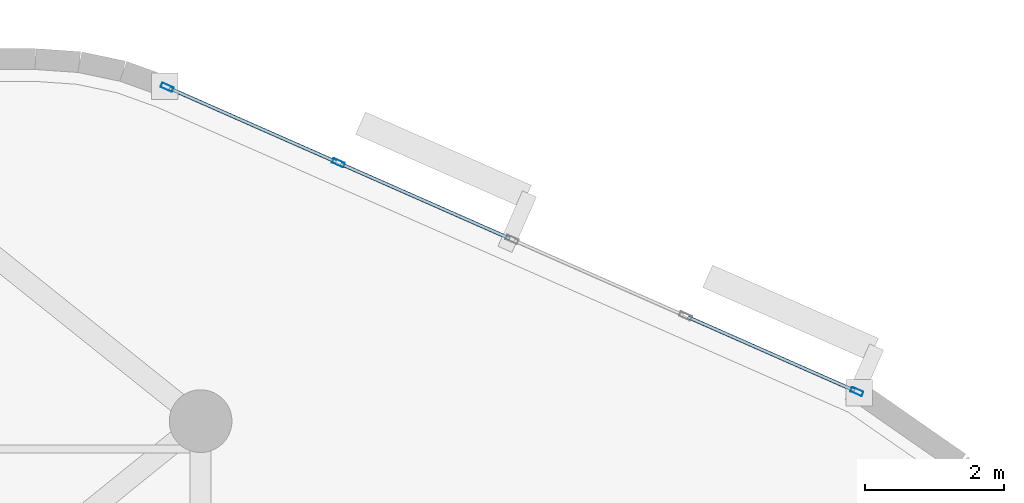
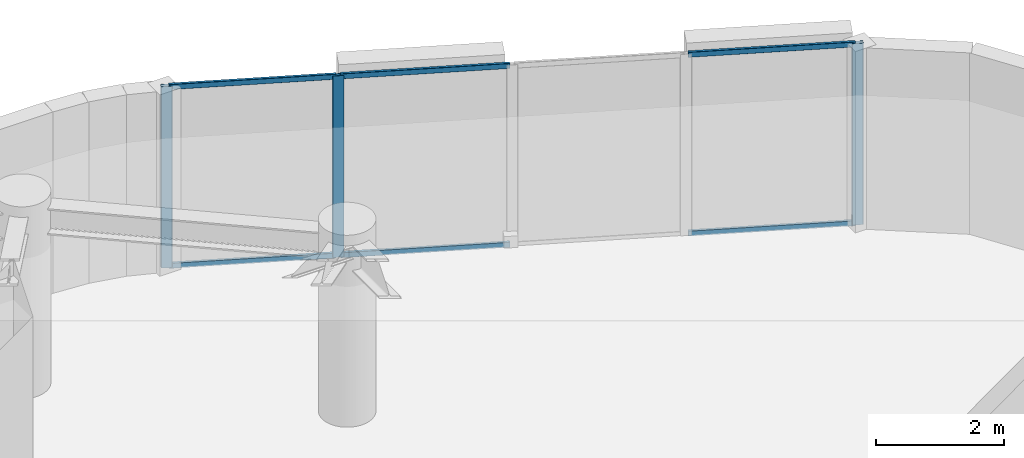
# One storey, part 6 of 13: 9 members, 1 element without a shape of its own.
"""IFC4 building model written with IfcOpenShell, lengths in metres."""

from ifc_helpers import new_model, si_unit, direction, frame, origin, origin_2d, place, context, subcontext, project, spatial, hollow_rectangle, extrude, material, layer, layer_set, material_profile, profile_set, type_object, element, aggregate, save


model = new_model("IFC4")

# Units and contexts
model_context = context("Model", 3, precision=1e-05, world=origin(), true_north=direction((0.0, 1.0)))
body_context = subcontext(model_context, "Body", "Model", "MODEL_VIEW")
ifc_project = project(units=[si_unit("LENGTHUNIT", "METRE"), si_unit("AREAUNIT", "SQUARE_METRE"), si_unit("VOLUMEUNIT", "CUBIC_METRE"), si_unit("PLANEANGLEUNIT", "RADIAN"), si_unit("MASSUNIT", "GRAM", prefix="KILO")], contexts=[model_context])

# Site, building, storey
site_placement = place(None, origin())
site = spatial("IfcSite", under=ifc_project, at=site_placement, CompositionType="ELEMENT")
building_placement = place(site_placement, origin())
building = spatial("IfcBuilding", under=site, at=building_placement, Name="An Khanh Terracotta Commons", CompositionType="ELEMENT")
storey_placement = place(building_placement, frame((0.0, 0.0, 277.050048828125)))
storey = spatial("IfcBuildingStorey", under=building, at=storey_placement, Name="L72", CompositionType="ELEMENT", Elevation=277.050048828125)

# Curtain wall, members
ifc_material = material(Name="Anodised Aluminium 6063-T6", Category="aluminium")
ifc_layer = layer(ifc_material, 0.2099609375, Name="Anodised Aluminium 6063-T6")
ifc_layer_set = layer_set([ifc_layer], Name="Anodised Aluminium 6063-T6")
curtain_wall_type = type_object("IfcCurtainWallType", Name="CW-SYS-03", PredefinedType="USERDEFINED", material=ifc_layer_set)
curtain_wall_placement = place(storey_placement, origin())
curtain_wall = element("IfcCurtainWall", 1, at=curtain_wall_placement, inside=storey, type_object=curtain_wall_type, Name="L72 CW-03 Unitised Curtain Wall CW-L72-16", ObjectType="UNITISED CURTAIN WALL", PredefinedType="USERDEFINED")
ifc_material_profile_1 = material_profile(ifc_material, hollow_rectangle(XDim=0.070068359375, YDim=0.179931640625, WallThickness=0.00390625, InnerFilletRadius=0.00390625, OuterFilletRadius=0.008056640625, at=origin_2d()), Name="RHS180x70x4")
ifc_profile_set_1 = profile_set([ifc_material_profile_1], Name="Anodised Aluminium 6063-T6")
member_type_1 = type_object("IfcMemberType", Name="CWM-RHS180x70x4", PredefinedType="MULLION", material=ifc_profile_set_1)
member_1_placement = place(storey_placement, frame((72.824951171875, 32.424072265625, 0.0), z_axis=(0.0, 0.0, 1.0), x_axis=(-0.403676354285, -0.914901853201, 0.0)))
member_1 = element("IfcMember", 2, at=member_1_placement, type_object=member_type_1, Name="CW-03 mullion 1", PredefinedType="MULLION", context=body_context, shape_type="SweptSolid", body=[
    extrude(hollow_rectangle(XDim=0.070068359375, YDim=0.179931640625, WallThickness=0.00390625, InnerFilletRadius=0.00390625, OuterFilletRadius=0.008056640625, at=origin_2d()), origin(), (0.0, 0.0, 1.0), 3.449951171875),
])
member_2_placement = place(storey_placement, frame((65.37939453125, 35.709228515625, 0.0), z_axis=(0.0, 0.0, 1.0), x_axis=(-0.403676354285, -0.914901853201, 0.0)))
member_2 = element("IfcMember", 3, at=member_2_placement, type_object=member_type_1, Name="CW-03 mullion 4", PredefinedType="MULLION", context=body_context, shape_type="SweptSolid", body=[
    extrude(hollow_rectangle(XDim=0.070068359375, YDim=0.179931640625, WallThickness=0.00390625, InnerFilletRadius=0.00390625, OuterFilletRadius=0.008056640625, at=origin_2d()), origin(), (0.0, 0.0, 1.0), 3.449951171875),
])
member_3_placement = place(storey_placement, frame((62.9189453125, 36.794921875, 0.0), z_axis=(0.0, 0.0, 1.0), x_axis=(-0.403676354285, -0.914901853201, 0.0)))
member_3 = element("IfcMember", 4, at=member_3_placement, type_object=member_type_1, Name="CW-03 mullion 5", PredefinedType="MULLION", context=body_context, shape_type="SweptSolid", body=[
    extrude(hollow_rectangle(XDim=0.070068359375, YDim=0.179931640625, WallThickness=0.00390625, InnerFilletRadius=0.00390625, OuterFilletRadius=0.008056640625, at=origin_2d()), origin(), (0.0, 0.0, 1.0), 3.449951171875),
])
ifc_material_profile_2 = material_profile(ifc_material, hollow_rectangle(XDim=0.050048828125, YDim=0.10009765625, WallThickness=0.003173828125, InnerFilletRadius=0.003173828125, OuterFilletRadius=0.00634765625, at=origin_2d()), Name="RHS100x50x3.2")
ifc_profile_set_2 = profile_set([ifc_material_profile_2], Name="Anodised Aluminium 6063-T6")
member_type_2 = type_object("IfcMemberType", Name="CWT-RHS100x50x3.2", PredefinedType="USERDEFINED", material=ifc_profile_set_2)
member_4_placement = place(storey_placement, frame((72.79296875, 32.438232421875, 0.02490234375), z_axis=(-0.914903627858, 0.403672332137, 0.0), x_axis=(-0.403672332137, -0.914903627858, 0.0)))
member_4 = element("IfcMember", 5, at=member_4_placement, type_object=member_type_2, Name="CW-03 transom 1.1", ObjectType="TRANSOM", PredefinedType="USERDEFINED", context=body_context, shape_type="SweptSolid", body=[
    extrude(hollow_rectangle(XDim=0.050048828125, YDim=0.10009765625, WallThickness=0.003173828125, InnerFilletRadius=0.003173828125, OuterFilletRadius=0.00634765625, at=origin_2d()), origin(), (0.0, 0.0, 1.0), 2.619384765625),
])
member_5_placement = place(storey_placement, frame((72.79296875, 32.438232421875, 3.425048828125), z_axis=(-0.914903627858, 0.403672332137, 0.0), x_axis=(-0.403672332137, -0.914903627858, 0.0)))
member_5 = element("IfcMember", 6, at=member_5_placement, type_object=member_type_2, Name="CW-03 transom 1.2", ObjectType="TRANSOM", PredefinedType="USERDEFINED", context=body_context, shape_type="SweptSolid", body=[
    extrude(hollow_rectangle(XDim=0.050048828125, YDim=0.10009765625, WallThickness=0.003173828125, InnerFilletRadius=0.003173828125, OuterFilletRadius=0.00634765625, at=origin_2d()), origin(), (0.0, 0.0, 1.0), 2.619384765625),
])
member_6_placement = place(storey_placement, frame((67.840087890625, 34.62353515625, 0.02490234375), z_axis=(-0.914896820753, 0.403687759755, 0.0), x_axis=(-0.403687759755, -0.914896820753, 0.0)))
member_6 = element("IfcMember", 7, at=member_6_placement, type_object=member_type_2, Name="CW-03 transom 3.1", ObjectType="TRANSOM", PredefinedType="USERDEFINED", context=body_context, shape_type="SweptSolid", body=[
    extrude(hollow_rectangle(XDim=0.050048828125, YDim=0.10009765625, WallThickness=0.003173828125, InnerFilletRadius=0.003173828125, OuterFilletRadius=0.00634765625, at=origin_2d()), origin(), (0.0, 0.0, 1.0), 2.654296875),
])
member_7_placement = place(storey_placement, frame((67.840087890625, 34.62353515625, 3.425048828125), z_axis=(-0.914896820753, 0.403687759755, 0.0), x_axis=(-0.403687759755, -0.914896820753, 0.0)))
member_7 = element("IfcMember", 8, at=member_7_placement, type_object=member_type_2, Name="CW-03 transom 3.2", ObjectType="TRANSOM", PredefinedType="USERDEFINED", context=body_context, shape_type="SweptSolid", body=[
    extrude(hollow_rectangle(XDim=0.050048828125, YDim=0.10009765625, WallThickness=0.003173828125, InnerFilletRadius=0.003173828125, OuterFilletRadius=0.00634765625, at=origin_2d()), origin(), (0.0, 0.0, 1.0), 2.654296875),
])
member_8_placement = place(storey_placement, frame((65.347412109375, 35.723388671875, 0.02490234375), z_axis=(-0.914903627858, 0.403672332137, 0.0), x_axis=(-0.403672332137, -0.914903627858, 0.0)))
member_8 = element("IfcMember", 9, at=member_8_placement, type_object=member_type_2, Name="CW-03 transom 4.1", ObjectType="TRANSOM", PredefinedType="USERDEFINED", context=body_context, shape_type="SweptSolid", body=[
    extrude(hollow_rectangle(XDim=0.050048828125, YDim=0.10009765625, WallThickness=0.003173828125, InnerFilletRadius=0.003173828125, OuterFilletRadius=0.00634765625, at=origin_2d()), origin(), (0.0, 0.0, 1.0), 2.619384765625),
])
member_9_placement = place(storey_placement, frame((65.347412109375, 35.723388671875, 3.425048828125), z_axis=(-0.914903627858, 0.403672332137, 0.0), x_axis=(-0.403672332137, -0.914903627858, 0.0)))
member_9 = element("IfcMember", 10, at=member_9_placement, type_object=member_type_2, Name="CW-03 transom 4.2", ObjectType="TRANSOM", PredefinedType="USERDEFINED", context=body_context, shape_type="SweptSolid", body=[
    extrude(hollow_rectangle(XDim=0.050048828125, YDim=0.10009765625, WallThickness=0.003173828125, InnerFilletRadius=0.003173828125, OuterFilletRadius=0.00634765625, at=origin_2d()), origin(), (0.0, 0.0, 1.0), 2.619384765625),
])
aggregate(curtain_wall, [member_1, member_2, member_3, member_4, member_5, member_6, member_7, member_8, member_9])

save(model, "model.ifc")
